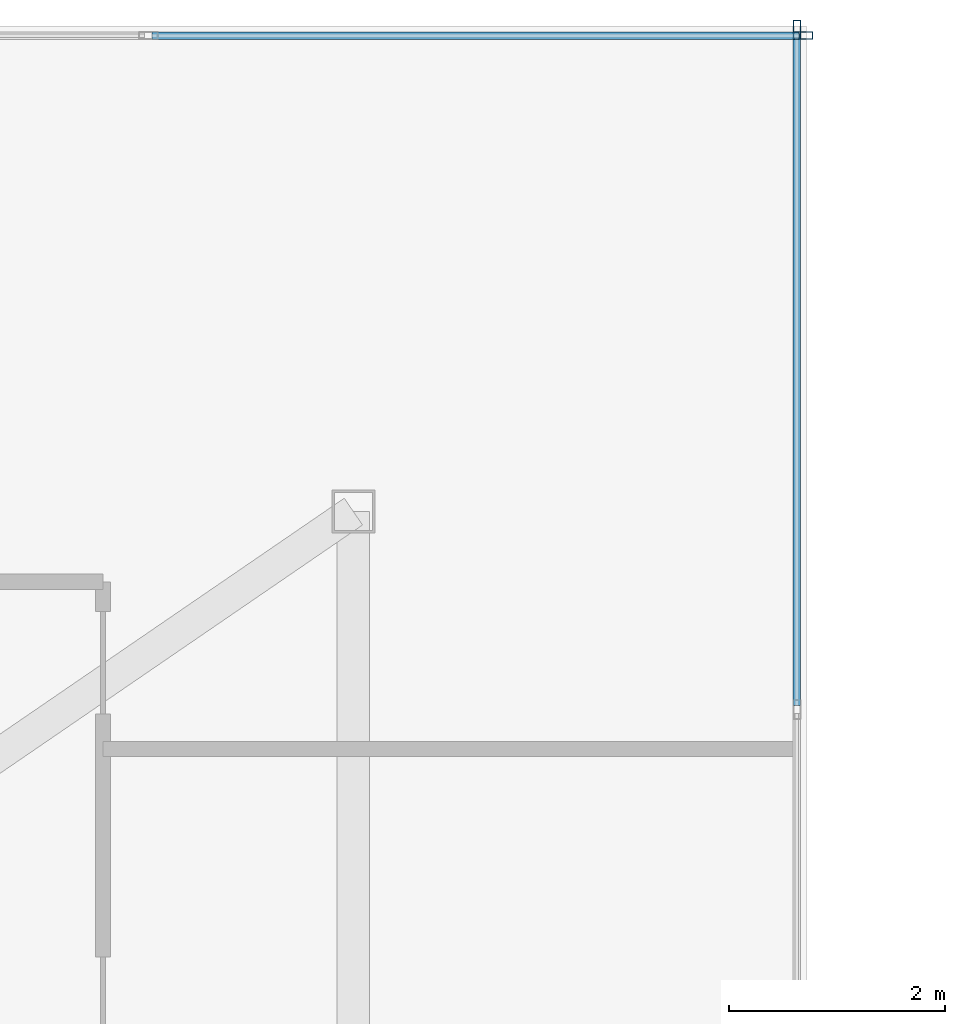
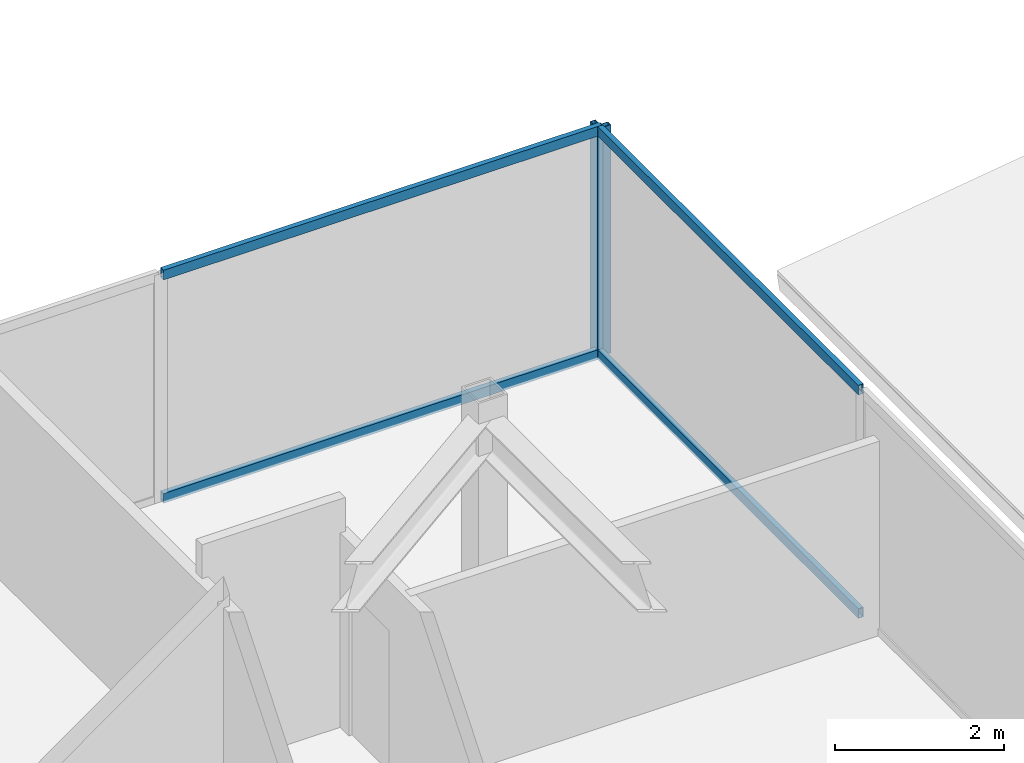
# One storey, part 13 of 16: 6 members, 2 elements without a shape of their own.
"""IFC4 building model written with IfcOpenShell, lengths in metres."""

from ifc_helpers import new_model, si_unit, direction, frame, origin, origin_2d, place, context, subcontext, project, spatial, hollow_rectangle, extrude, source, transform, mapped, material, material_profile, profile_set, type_object, type_shapes, element, aggregate, save


model = new_model("IFC4")

# Units and contexts
model_context = context("Model", 3, precision=1e-05, world=origin(), true_north=direction((0.0, 1.0)))
body_context = subcontext(model_context, "Body", "Model", "MODEL_VIEW")
ifc_project = project(units=[si_unit("LENGTHUNIT", "METRE"), si_unit("AREAUNIT", "SQUARE_METRE"), si_unit("VOLUMEUNIT", "CUBIC_METRE"), si_unit("PLANEANGLEUNIT", "RADIAN"), si_unit("MASSUNIT", "GRAM", prefix="KILO")], contexts=[model_context])

# Site, building, storey
site_placement = place(None, origin())
site = spatial("IfcSite", under=ifc_project, at=site_placement, CompositionType="ELEMENT")
building_placement = place(site_placement, origin())
building = spatial("IfcBuilding", under=site, at=building_placement, Name="Krantzveldt Concourse Tower", CompositionType="ELEMENT")
storey_placement = place(building_placement, frame((0.0, 0.0, 378.25)))
storey = spatial("IfcBuildingStorey", under=building, at=storey_placement, Name="L93", CompositionType="ELEMENT", Elevation=378.25)

# Curtain wall, members
ifc_material = material(Name="Anodised aluminium 6063-T6", Category="aluminium")
curtain_wall_type = type_object("IfcCurtainWallType", Name="CW7", PredefinedType="USERDEFINED", material=ifc_material)
curtain_wall_1_placement = place(storey_placement, origin())
curtain_wall_1 = element("IfcCurtainWall", 1, at=curtain_wall_1_placement, inside=storey, type_object=curtain_wall_type, Name="CW-L93-WEST-02", ObjectType="UNITISED CURTAIN WALL", PredefinedType="USERDEFINED")
ifc_material_profile_1 = material_profile(ifc_material, hollow_rectangle(XDim=0.070068359375, YDim=0.139892578125, WallThickness=0.0048828125, at=origin_2d()), Name="Anodised aluminium 6063-T6", Category="aluminium")
ifc_profile_set_1 = profile_set([ifc_material_profile_1], Name="Anodised aluminium 6063-T6 - ALU-TRAN 140x70x5")
member_type_1 = type_object("IfcMemberType", Name="CW-TRN-150", PredefinedType="USERDEFINED", material=ifc_profile_set_1)
shared_shape_1 = source(origin(), body_context, "Body", "SweptSolid", [
    extrude(hollow_rectangle(XDim=0.070068359375, YDim=0.139892578125, WallThickness=0.0048828125, at=origin_2d()), origin(), (0.0, 0.0, 1.0), 5.994873046875),
])
member_1_placement = place(storey_placement, frame((34.72998046875, 45.610107421875, 0.034912109375), z_axis=(-1.0, 0.0, 0.0), x_axis=(0.0, -1.0, 0.0)))
member_1 = element("IfcMember", 2, at=member_1_placement, type_object=member_type_1, Name="CW-CRN transom 1.1", ObjectType="TRANSOM", PredefinedType="USERDEFINED", context=body_context, shape_type="MappedRepresentation", body=[
    mapped(shared_shape_1, transform((0.0, 0.0, 0.0), x_axis=(1.0, 0.0, 0.0), y_axis=(0.0, 1.0, 0.0), z_axis=(0.0, 0.0, 1.0), scale=1.0)),
])
member_2_placement = place(storey_placement, frame((34.72998046875, 45.610107421875, 3.264892578125), z_axis=(-1.0, 0.0, 0.0), x_axis=(0.0, -1.0, 0.0)))
member_2 = element("IfcMember", 3, at=member_2_placement, type_object=member_type_1, Name="CW-CRN transom 1.2", ObjectType="TRANSOM", PredefinedType="USERDEFINED", context=body_context, shape_type="MappedRepresentation", body=[
    mapped(shared_shape_1, transform((0.0, 0.0, 0.0), x_axis=(1.0, 0.0, 0.0), y_axis=(0.0, 1.0, 0.0), z_axis=(0.0, 0.0, 1.0), scale=1.0)),
])

curtain_wall_2_placement = place(storey_placement, origin())
curtain_wall_2 = element("IfcCurtainWall", 4, at=curtain_wall_2_placement, inside=storey, type_object=curtain_wall_type, Name="CW-L93-WEST-01", ObjectType="UNITISED CURTAIN WALL", PredefinedType="USERDEFINED")
shared_shape_2 = source(origin(), body_context, "Body", "SweptSolid", [
    extrude(hollow_rectangle(XDim=0.070068359375, YDim=0.139892578125, WallThickness=0.0048828125, at=origin_2d()), origin(), (0.0, 0.0, 1.0), 6.228271484375),
])
type_shapes(member_type_1, [shared_shape_1, shared_shape_2])
member_3_placement = place(storey_placement, frame((34.7099609375, 39.401611328125, 0.034912109375), z_axis=(0.0, 1.0, 0.0), x_axis=(-1.0, 0.0, 0.0)))
member_3 = element("IfcMember", 5, at=member_3_placement, type_object=member_type_1, Name="CW-CRN transom 6.1", ObjectType="TRANSOM", PredefinedType="USERDEFINED", context=body_context, shape_type="MappedRepresentation", body=[
    mapped(shared_shape_2, transform((0.0, 0.0, 0.0), x_axis=(1.0, 0.0, 0.0), y_axis=(0.0, 1.0, 0.0), z_axis=(0.0, 0.0, 1.0), scale=1.0)),
])
member_4_placement = place(storey_placement, frame((34.7099609375, 39.401611328125, 3.264892578125), z_axis=(0.0, 1.0, 0.0), x_axis=(-1.0, 0.0, 0.0)))
member_4 = element("IfcMember", 6, at=member_4_placement, type_object=member_type_1, Name="CW-CRN transom 6.2", ObjectType="TRANSOM", PredefinedType="USERDEFINED", context=body_context, shape_type="MappedRepresentation", body=[
    mapped(shared_shape_2, transform((0.0, 0.0, 0.0), x_axis=(1.0, 0.0, 0.0), y_axis=(0.0, 1.0, 0.0), z_axis=(0.0, 0.0, 1.0), scale=1.0)),
])
ifc_material_profile_2 = material_profile(ifc_material, hollow_rectangle(XDim=0.070068359375, YDim=0.179931640625, WallThickness=0.0048828125, at=origin_2d()), Name="Anodised aluminium 6063-T6", Category="aluminium")
ifc_profile_set_2 = profile_set([ifc_material_profile_2], Name="Anodised aluminium 6063-T6 - ALU-MULL 180x70x5")
member_type_2 = type_object("IfcMemberType", Name="CW-MUL-180", PredefinedType="MULLION", material=ifc_profile_set_2)
shared_shape_3 = source(origin(), body_context, "Body", "SweptSolid", [
    extrude(hollow_rectangle(XDim=0.070068359375, YDim=0.179931640625, WallThickness=0.0048828125, at=origin_2d()), origin(), (0.0, 0.0, 1.0), 3.300048828125),
])
type_shapes(member_type_2, [shared_shape_3])
member_5_placement = place(storey_placement, frame((34.7099609375, 45.6650390625, 0.0), z_axis=(0.0, 0.0, 1.0), x_axis=(-1.0, 0.0, 0.0)))
member_5 = element("IfcMember", 7, at=member_5_placement, type_object=member_type_2, Name="CW-CRN mullion 7", PredefinedType="MULLION", context=body_context, shape_type="MappedRepresentation", body=[
    mapped(shared_shape_3, transform((0.0, 0.0, 0.0), x_axis=(1.0, 0.0, 0.0), y_axis=(0.0, 1.0, 0.0), z_axis=(0.0, 0.0, 1.0), scale=1.0)),
])
aggregate(curtain_wall_2, [member_5, member_3, member_4])

# Member
member_6_placement = place(storey_placement, frame((34.764892578125, 45.610107421875, 0.0), z_axis=(0.0, 0.0, 1.0), x_axis=(0.0, -1.0, 0.0)))
member_6 = element("IfcMember", 8, at=member_6_placement, type_object=member_type_2, Name="CW-CRN mullion 1", PredefinedType="MULLION", context=body_context, shape_type="MappedRepresentation", body=[
    mapped(shared_shape_3, transform((0.0, 0.0, 0.0), x_axis=(1.0, 0.0, 0.0), y_axis=(0.0, 1.0, 0.0), z_axis=(0.0, 0.0, 1.0), scale=1.0)),
])

aggregate(curtain_wall_1, [member_6, member_1, member_2])

save(model, "model.ifc")
